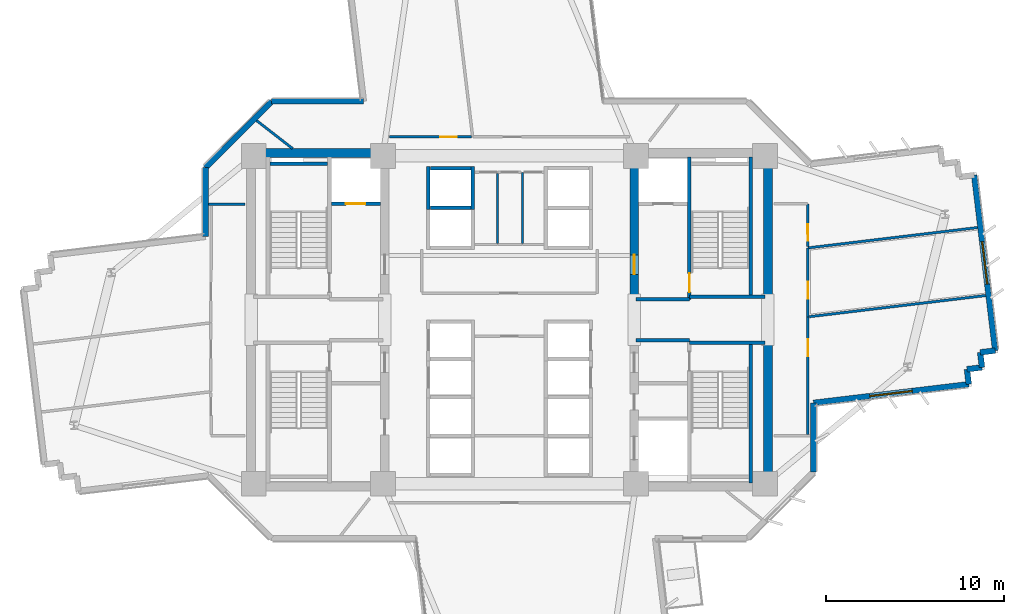
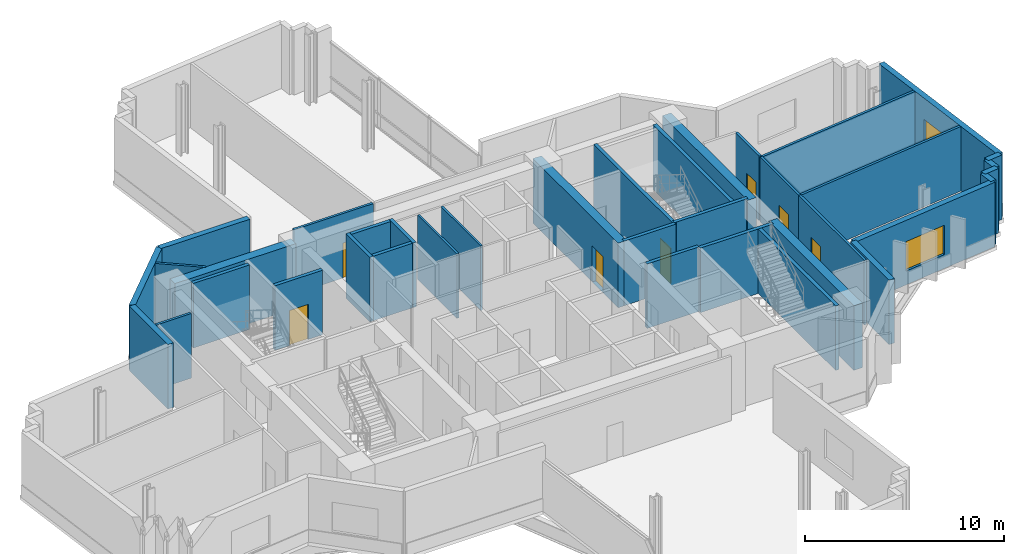
# One storey, part 8 of 15: 37 walls, 7 doors, 2 windows, 9 openings.
"""IFC4 building model written with IfcOpenShell, lengths in metres."""

from ifc_helpers import new_model, si_unit, direction, frame, frame_2d, origin, place, context, subcontext, project, spatial, rectangle, extrude, source, transform, mapped, material, layer, layer_set, type_object, element, fill, save


model = new_model("IFC4")

# Units and contexts
model_context = context("Model", 3, precision=1e-05, world=origin(), true_north=direction((0.0, 1.0)))
body_context = subcontext(model_context, "Body", "Model", "MODEL_VIEW")
ifc_project = project(units=[si_unit("LENGTHUNIT", "METRE"), si_unit("AREAUNIT", "SQUARE_METRE"), si_unit("VOLUMEUNIT", "CUBIC_METRE"), si_unit("PLANEANGLEUNIT", "RADIAN"), si_unit("MASSUNIT", "GRAM", prefix="KILO")], contexts=[model_context])

# Site, building, storey
site_placement = place(None, origin())
site = spatial("IfcSite", under=ifc_project, at=site_placement, CompositionType="ELEMENT")
building_placement = place(site_placement, origin())
building = spatial("IfcBuilding", under=site, at=building_placement, Name="Zahravan Cultural Tower", CompositionType="ELEMENT")
storey_placement = place(building_placement, frame((0.0, 0.0, 108.89990234375)))
storey = spatial("IfcBuildingStorey", under=building, at=storey_placement, Name="L24", CompositionType="ELEMENT", Elevation=108.89990234375)

# Wall, opening, door
ifc_material_1 = material(Name="Concrete C60/75", Category="concrete")
ifc_layer_1 = layer(ifc_material_1, 0.5)
ifc_layer_set_1 = layer_set([ifc_layer_1], Name="Concrete C60/75")
wall_type_1 = type_object("IfcWallType", Name="CW-SHEAR-500-C60", PredefinedType="SHEAR", material=ifc_layer_set_1)
wall_1_placement = place(storey_placement, frame((43.0, 28.050048828125, 0.0), z_axis=(0.0, 0.0, 1.0), x_axis=(0.0, 1.0, 0.0)))
wall_1 = element("IfcWall", 1, at=wall_1_placement, inside=storey, type_object=wall_type_1, Name="L24 Core Shear Wall CW-E-WN-L24", PredefinedType="SHEAR", context=body_context, shape_type="SweptSolid", body=[
    extrude(rectangle(XDim=8.550048828125, YDim=0.5, at=frame_2d((4.27490234375, 0.0))), origin(), (0.0, 0.0, 1.0), 3.9501953125),
])
opening_1_placement = place(wall_1_placement, frame((1.5, 0.0, 0.0)))
opening_1 = element("IfcOpeningElement", 2, at=opening_1_placement, cuts=wall_1, Name="Opening D-L24-06", PredefinedType="OPENING", context=body_context, shape_type="SweptSolid", body=[
    extrude(rectangle(XDim=1.10009765625, YDim=2.199951171875, at=frame_2d((0.550048828125, 1.10009765625))), frame((0.0, 0.260009765625, 0.0), z_axis=(0.0, -1.0, 0.0), x_axis=(1.0, 0.0, 0.0)), (0.0, 0.0, 1.0), 0.52001953125),
])
ifc_material_2 = material(Name="Steel ASTM A572 Grade 50", Category="steel")
door_type_1 = type_object("IfcDoorType", Name="DR-LOBBY-1100", OperationType="NOTDEFINED", PredefinedType="DOOR", material=ifc_material_2)
shared_shape_1 = source(origin(), body_context, "Body", "SweptSolid", [
    extrude(rectangle(XDim=1.10009765625, YDim=2.199951171875, at=frame_2d((0.550048828125, 1.10009765625))), frame((0.0, 0.02490234375, 0.0), z_axis=(0.0, -1.0, 0.0), x_axis=(1.0, 0.0, 0.0)), (0.0, 0.0, 1.0), 0.050048828125),
])
door_1_placement = place(opening_1_placement, origin())
door_1 = element("IfcDoor", 3, at=door_1_placement, inside=storey, type_object=door_type_1, Name="L24 Door D-L24-06", OperationType="SINGLE_SWING_LEFT", OverallHeight=2.199951171875, OverallWidth=1.10009765625, PredefinedType="DOOR", context=body_context, shape_type="MappedRepresentation", body=[
    mapped(shared_shape_1, transform((0.0, 0.0, 0.0), x_axis=(1.0, 0.0, 0.0), y_axis=(0.0, 1.0, 0.0), z_axis=(0.0, 0.0, 1.0), scale=1.0)),
])
fill(opening_1, door_1)

# Wall, opening, window
ifc_material_3 = material(Name="Precast concrete C40/50", Category="concrete")
ifc_layer_2 = layer(ifc_material_3, 0.320068359375)
ifc_layer_set_2 = layer_set([ifc_layer_2], Name="Precast concrete C40/50")
wall_type_2 = type_object("IfcWallType", Name="EW-TC-320", PredefinedType="SOLIDWALL", material=ifc_layer_set_2)
wall_2_placement = place(storey_placement, frame((62.078125, 35.12353515625, 0.0), z_axis=(0.0, 0.0, 1.0), x_axis=(0.119092815244, -0.992883125729, 0.0)))
wall_2 = element("IfcWall", 4, at=wall_2_placement, inside=storey, type_object=wall_type_2, Name="L24 Exterior Masonry Frame Wall 06", PredefinedType="SOLIDWALL", context=body_context, shape_type="SweptSolid", body=[
    extrude(rectangle(XDim=9.919921875, YDim=0.320068359375, at=frame_2d((4.9599609375, 0.0))), origin(), (0.0, 0.0, 1.0), 3.9501953125),
])
opening_2_placement = place(wall_2_placement, frame((3.760009765625, 0.0, 0.85009765625)))
opening_2 = element("IfcOpeningElement", 5, at=opening_2_placement, cuts=wall_2, Name="Opening WN-01", PredefinedType="OPENING", context=body_context, shape_type="SweptSolid", body=[
    extrude(rectangle(XDim=2.39990234375, YDim=1.800048828125, at=frame_2d((1.199951171875, 0.89990234375))), frame((0.0, 0.169921875, 0.0), z_axis=(0.0, -1.0, 0.0), x_axis=(1.0, 0.0, 0.0)), (0.0, 0.0, 1.0), 0.340087890625),
])
ifc_material_4 = material(Name="Low-E solar-control double glazing", Category="glass")
window_type = type_object("IfcWindowType", Name="WN-REC-2400X1800", PartitioningType="DOUBLE_PANEL_VERTICAL", PredefinedType="WINDOW", material=ifc_material_4)
shared_shape_2 = source(origin(), body_context, "Body", "SweptSolid", [
    extrude(rectangle(XDim=2.39990234375, YDim=1.800048828125, at=frame_2d((1.199951171875, 0.89990234375))), frame((0.0, 0.030029296875, 0.0), z_axis=(0.0, -1.0, 0.0), x_axis=(1.0, 0.0, 0.0)), (0.0, 0.0, 1.0), 0.06005859375),
])
window_1_placement = place(opening_2_placement, origin())
window_1 = element("IfcWindow", 6, at=window_1_placement, inside=storey, type_object=window_type, Name="L24 Recessed Solar Window 02", OverallHeight=1.800048828125, OverallWidth=2.39990234375, PartitioningType="DOUBLE_PANEL_VERTICAL", PredefinedType="WINDOW", context=body_context, shape_type="MappedRepresentation", body=[
    mapped(shared_shape_2, transform((0.0, 0.0, 0.0), x_axis=(1.0, 0.0, 0.0), y_axis=(0.0, 1.0, 0.0), z_axis=(0.0, 0.0, 1.0), scale=1.0)),
])
fill(opening_2, window_1)

wall_3_placement = place(storey_placement, frame((61.774169921875, 23.3837890625, 0.0), z_axis=(0.0, 0.0, 1.0), x_axis=(-0.992883944618, -0.119085987922, 0.0)))
wall_3 = element("IfcWall", 7, at=wall_3_placement, inside=storey, type_object=wall_type_2, Name="L24 Exterior Masonry Frame Wall 11", PredefinedType="SOLIDWALL", context=body_context, shape_type="SweptSolid", body=[
    extrude(rectangle(XDim=8.776611328125, YDim=0.320068359375, at=frame_2d((4.38818359375, 0.0))), origin(), (0.0, 0.0, 1.0), 3.9501953125),
])
opening_3_placement = place(wall_3_placement, frame((3.18798828125, 0.0, 0.85009765625)))
opening_3 = element("IfcOpeningElement", 8, at=opening_3_placement, cuts=wall_3, Name="Opening WN-01", PredefinedType="OPENING", context=body_context, shape_type="SweptSolid", body=[
    extrude(rectangle(XDim=2.39990234375, YDim=1.800048828125, at=frame_2d((1.199951171875, 0.89990234375))), frame((0.0, 0.169921875, 0.0), z_axis=(0.0, -1.0, 0.0), x_axis=(1.0, 0.0, 0.0)), (0.0, 0.0, 1.0), 0.340087890625),
])
window_2_placement = place(opening_3_placement, origin())
window_2 = element("IfcWindow", 9, at=window_2_placement, inside=storey, type_object=window_type, Name="L24 Recessed Solar Window 03", OverallHeight=1.800048828125, OverallWidth=2.39990234375, PartitioningType="DOUBLE_PANEL_VERTICAL", PredefinedType="WINDOW", context=body_context, shape_type="MappedRepresentation", body=[
    mapped(shared_shape_2, transform((0.0, 0.0, 0.0), x_axis=(1.0, 0.0, 0.0), y_axis=(0.0, 1.0, 0.0), z_axis=(0.0, 0.0, 1.0), scale=1.0)),
])
fill(opening_3, window_2)

# Wall, opening, door
ifc_material_5 = material(Name="Gypsum plasterboard partition")
ifc_layer_3 = layer(ifc_material_5, 0.139892578125)
ifc_layer_set_3 = layer_set([ifc_layer_3], Name="Gypsum plasterboard partition")
wall_type_3 = type_object("IfcWallType", Name="W-PART-140", PredefinedType="PARTITIONING", material=ifc_layer_set_3)
wall_4_placement = place(storey_placement, frame((52.75, 27.166015625, 0.0), z_axis=(0.0, 0.0, 1.0), x_axis=(0.0, 1.0, 0.0)))
wall_4 = element("IfcWall", 10, at=wall_4_placement, inside=storey, type_object=wall_type_3, Name="L24 Interior Wall 079", PredefinedType="PARTITIONING", context=body_context, shape_type="SweptSolid", body=[
    extrude(rectangle(XDim=3.86767578125, YDim=0.139892578125, at=frame_2d((1.933837890625, 0.0))), origin(), (0.0, 0.0, 1.0), 3.9501953125),
])
opening_4_placement = place(wall_4_placement, frame((1.02099609375, 0.0, 0.0)))
opening_4 = element("IfcOpeningElement", 11, at=opening_4_placement, cuts=wall_4, Name="Opening D-L24-17", PredefinedType="OPENING", context=body_context, shape_type="SweptSolid", body=[
    extrude(rectangle(XDim=0.949951171875, YDim=2.14990234375, at=frame_2d((0.47509765625, 1.074951171875))), frame((0.0, 0.079833984375, 0.0), z_axis=(0.0, -1.0, 0.0), x_axis=(1.0, 0.0, 0.0)), (0.0, 0.0, 1.0), 0.159912109375),
])
ifc_material_6 = material(Name="Anodised bronze-aluminium mullion", Category="aluminium")
door_type_2 = type_object("IfcDoorType", Name="DR-ROOM-950", OperationType="NOTDEFINED", PredefinedType="DOOR", material=ifc_material_6)
shared_shape_3 = source(origin(), body_context, "Body", "SweptSolid", [
    extrude(rectangle(XDim=0.949951171875, YDim=2.14990234375, at=frame_2d((0.47509765625, 1.074951171875))), frame((0.0, 0.02490234375, 0.0), z_axis=(0.0, -1.0, 0.0), x_axis=(1.0, 0.0, 0.0)), (0.0, 0.0, 1.0), 0.050048828125),
])
door_2_placement = place(opening_4_placement, origin())
door_2 = element("IfcDoor", 12, at=door_2_placement, inside=storey, type_object=door_type_2, Name="L24 Door D-L24-17", OperationType="SINGLE_SWING_RIGHT", OverallHeight=2.14990234375, OverallWidth=0.949951171875, PredefinedType="DOOR", context=body_context, shape_type="MappedRepresentation", body=[
    mapped(shared_shape_3, transform((0.0, 0.0, 0.0), x_axis=(1.0, 0.0, 0.0), y_axis=(0.0, 1.0, 0.0), z_axis=(0.0, 0.0, 1.0), scale=1.0)),
])
fill(opening_4, door_2)

wall_5_placement = place(storey_placement, frame((52.75, 20.5751953125, 0.0), z_axis=(0.0, 0.0, 1.0), x_axis=(0.0, 1.0, 0.0)))
wall_5 = element("IfcWall", 13, at=wall_5_placement, inside=storey, type_object=wall_type_3, Name="L24 Interior Wall 089", PredefinedType="PARTITIONING", context=body_context, shape_type="SweptSolid", body=[
    extrude(rectangle(XDim=6.57080078125, YDim=0.139892578125, at=frame_2d((3.285400390625, 0.0))), origin(), (0.0, 0.0, 1.0), 3.9501953125),
])
opening_5_placement = place(wall_5_placement, frame((4.384033203125, 0.0, 0.0)))
opening_5 = element("IfcOpeningElement", 14, at=opening_5_placement, cuts=wall_5, Name="Opening D-L24-16", PredefinedType="OPENING", context=body_context, shape_type="SweptSolid", body=[
    extrude(rectangle(XDim=0.949951171875, YDim=2.14990234375, at=frame_2d((0.47509765625, 1.074951171875))), frame((0.0, 0.079833984375, 0.0), z_axis=(0.0, -1.0, 0.0), x_axis=(1.0, 0.0, 0.0)), (0.0, 0.0, 1.0), 0.159912109375),
])
door_3_placement = place(opening_5_placement, origin())
door_3 = element("IfcDoor", 15, at=door_3_placement, inside=storey, type_object=door_type_2, Name="L24 Door D-L24-16", OperationType="SINGLE_SWING_LEFT", OverallHeight=2.14990234375, OverallWidth=0.949951171875, PredefinedType="DOOR", context=body_context, shape_type="MappedRepresentation", body=[
    mapped(shared_shape_3, transform((0.0, 0.0, 0.0), x_axis=(1.0, 0.0, 0.0), y_axis=(0.0, 1.0, 0.0), z_axis=(0.0, 0.0, 1.0), scale=1.0)),
])
fill(opening_5, door_3)

wall_6_placement = place(storey_placement, frame((52.75, 31.109130859375, 0.0), z_axis=(0.0, 0.0, 1.0), x_axis=(-0.001430175266, 0.999998977299, 0.0)))
wall_6 = element("IfcWall", 16, at=wall_6_placement, inside=storey, type_object=wall_type_3, Name="L24 Interior Wall 092", PredefinedType="PARTITIONING", context=body_context, shape_type="SweptSolid", body=[
    extrude(rectangle(XDim=2.389892578125, YDim=0.139892578125, at=frame_2d((1.19482421875, 0.0))), origin(), (0.0, 0.0, 1.0), 3.9501953125),
])
opening_6_placement = place(wall_6_placement, frame((0.31689453125, 0.0, 0.0)))
opening_6 = element("IfcOpeningElement", 17, at=opening_6_placement, cuts=wall_6, Name="Opening D-L24-18", PredefinedType="OPENING", context=body_context, shape_type="SweptSolid", body=[
    extrude(rectangle(XDim=0.949951171875, YDim=2.14990234375, at=frame_2d((0.47509765625, 1.074951171875))), frame((0.0, 0.079833984375, 0.0), z_axis=(0.0, -1.0, 0.0), x_axis=(1.0, 0.0, 0.0)), (0.0, 0.0, 1.0), 0.159912109375),
])
door_4_placement = place(opening_6_placement, origin())
door_4 = element("IfcDoor", 18, at=door_4_placement, inside=storey, type_object=door_type_2, Name="L24 Door D-L24-18", OperationType="SINGLE_SWING_LEFT", OverallHeight=2.14990234375, OverallWidth=0.949951171875, PredefinedType="DOOR", context=body_context, shape_type="MappedRepresentation", body=[
    mapped(shared_shape_3, transform((0.0, 0.0, 0.0), x_axis=(1.0, 0.0, 0.0), y_axis=(0.0, 1.0, 0.0), z_axis=(0.0, 0.0, 1.0), scale=1.0)),
])
fill(opening_6, door_4)

wall_7_placement = place(storey_placement, frame((33.85791015625, 37.260009765625, 0.0), z_axis=(0.0, 0.0, 1.0), x_axis=(-0.999999998592, -5.3070106e-05, 0.0)))
wall_7 = element("IfcWall", 19, at=wall_7_placement, inside=storey, type_object=wall_type_3, Name="L24 Interior Wall 098", PredefinedType="PARTITIONING", context=body_context, shape_type="SweptSolid", body=[
    extrude(rectangle(XDim=4.600341796875, YDim=0.139892578125, at=frame_2d((2.30029296875, 0.0))), origin(), (0.0, 0.0, 1.0), 3.9501953125),
])
opening_7_placement = place(wall_7_placement, frame((0.802978515625, 0.0, 0.0)))
opening_7 = element("IfcOpeningElement", 20, at=opening_7_placement, cuts=wall_7, Name="Opening D-L24-20", PredefinedType="OPENING", context=body_context, shape_type="SweptSolid", body=[
    extrude(rectangle(XDim=0.949951171875, YDim=2.14990234375, at=frame_2d((0.47509765625, 1.074951171875))), frame((0.0, 0.079833984375, 0.0), z_axis=(0.0, -1.0, 0.0), x_axis=(1.0, 0.0, 0.0)), (0.0, 0.0, 1.0), 0.159912109375),
])
door_5_placement = place(opening_7_placement, origin())
door_5 = element("IfcDoor", 21, at=door_5_placement, inside=storey, type_object=door_type_2, Name="L24 Door D-L24-20", OperationType="SINGLE_SWING_LEFT", OverallHeight=2.14990234375, OverallWidth=0.949951171875, PredefinedType="DOOR", context=body_context, shape_type="MappedRepresentation", body=[
    mapped(shared_shape_3, transform((0.0, 0.0, 0.0), x_axis=(1.0, 0.0, 0.0), y_axis=(0.0, 1.0, 0.0), z_axis=(0.0, 0.0, 1.0), scale=1.0)),
])
fill(opening_7, door_5)

ifc_material_7 = material(Name="Concrete C45/55", Category="concrete")
ifc_layer_4 = layer(ifc_material_7, 0.199951171875)
ifc_layer_set_4 = layer_set([ifc_layer_4], Name="Concrete C45/55")
wall_type_4 = type_object("IfcWallType", Name="W-SHAFT-200", PredefinedType="SOLIDWALL", material=ifc_layer_set_4)
wall_8_placement = place(storey_placement, frame((46.10009765625, 28.14990234375, 0.0), z_axis=(0.0, 0.0, 1.0), x_axis=(0.0, 1.0, 0.0)))
wall_8 = element("IfcWall", 22, at=wall_8_placement, inside=storey, type_object=wall_type_4, Name="L24 Interior Wall 008", PredefinedType="SOLIDWALL", context=body_context, shape_type="SweptSolid", body=[
    extrude(rectangle(XDim=8.0, YDim=0.199951171875, at=frame_2d((4.0, 0.0))), origin(), (0.0, 0.0, 1.0), 3.9501953125),
])
opening_8_placement = place(wall_8_placement, frame((0.39990234375, 0.0, 0.0)))
opening_8 = element("IfcOpeningElement", 23, at=opening_8_placement, cuts=wall_8, Name="Opening D-L24-02", PredefinedType="OPENING", context=body_context, shape_type="SweptSolid", body=[
    extrude(rectangle(XDim=1.050048828125, YDim=2.14990234375, at=frame_2d((0.52490234375, 1.074951171875))), frame((0.0, 0.10986328125, 0.0), z_axis=(0.0, -1.0, 0.0), x_axis=(1.0, 0.0, 0.0)), (0.0, 0.0, 1.0), 0.219970703125),
])
door_type_3 = type_object("IfcDoorType", Name="DR-STAIR-1050", OperationType="NOTDEFINED", PredefinedType="DOOR", material=ifc_material_2)
shared_shape_4 = source(origin(), body_context, "Body", "SweptSolid", [
    extrude(rectangle(XDim=1.050048828125, YDim=2.14990234375, at=frame_2d((0.52490234375, 1.074951171875))), frame((0.0, 0.02490234375, 0.0), z_axis=(0.0, -1.0, 0.0), x_axis=(1.0, 0.0, 0.0)), (0.0, 0.0, 1.0), 0.050048828125),
])
door_6_placement = place(opening_8_placement, origin())
door_6 = element("IfcDoor", 24, at=door_6_placement, inside=storey, type_object=door_type_3, Name="L24 Door D-L24-02", OperationType="SINGLE_SWING_LEFT", OverallHeight=2.14990234375, OverallWidth=1.050048828125, PredefinedType="DOOR", context=body_context, shape_type="MappedRepresentation", body=[
    mapped(shared_shape_4, transform((0.0, 0.0, 0.0), x_axis=(1.0, 0.0, 0.0), y_axis=(0.0, 1.0, 0.0), z_axis=(0.0, 0.0, 1.0), scale=1.0)),
])
fill(opening_8, door_6)

wall_9_placement = place(storey_placement, frame((26.0, 33.52001953125, 0.0), z_axis=(0.0, 0.0, 1.0), x_axis=(1.0, 0.0, 0.0)))
wall_9 = element("IfcWall", 25, at=wall_9_placement, inside=storey, type_object=wall_type_4, Name="L24 Interior Wall 021", PredefinedType="SOLIDWALL", context=body_context, shape_type="SweptSolid", body=[
    extrude(rectangle(XDim=2.75, YDim=0.199951171875, at=frame_2d((1.375, 0.0))), origin(), (0.0, 0.0, 1.0), 3.9501953125),
])
opening_9_placement = place(wall_9_placement, frame((0.820068359375, 0.0, 0.0)))
opening_9 = element("IfcOpeningElement", 26, at=opening_9_placement, cuts=wall_9, Name="Opening LD-L24-01", PredefinedType="OPENING", context=body_context, shape_type="SweptSolid", body=[
    extrude(rectangle(XDim=1.10009765625, YDim=2.14990234375, at=frame_2d((0.550048828125, 1.074951171875))), frame((0.0, 0.10986328125, 0.0), z_axis=(0.0, -1.0, 0.0), x_axis=(1.0, 0.0, 0.0)), (0.0, 0.0, 1.0), 0.219970703125),
])
door_type_4 = type_object("IfcDoorType", Name="DR-LIFT-1100", OperationType="DOUBLE_DOOR_SLIDING", PredefinedType="DOOR", material=ifc_material_2)
shared_shape_5 = source(origin(), body_context, "Body", "SweptSolid", [
    extrude(rectangle(XDim=1.10009765625, YDim=2.14990234375, at=frame_2d((0.550048828125, 1.074951171875))), frame((0.0, 0.02490234375, 0.0), z_axis=(0.0, -1.0, 0.0), x_axis=(1.0, 0.0, 0.0)), (0.0, 0.0, 1.0), 0.050048828125),
])
door_7_placement = place(opening_9_placement, origin())
door_7 = element("IfcDoor", 27, at=door_7_placement, inside=storey, type_object=door_type_4, Name="L24 Door LD-L24-01", OperationType="DOUBLE_DOOR_SLIDING", OverallHeight=2.14990234375, OverallWidth=1.10009765625, PredefinedType="DOOR", context=body_context, shape_type="MappedRepresentation", body=[
    mapped(shared_shape_5, transform((0.0, 0.0, 0.0), x_axis=(1.0, 0.0, 0.0), y_axis=(0.0, 1.0, 0.0), z_axis=(0.0, 0.0, 1.0), scale=1.0)),
])
fill(opening_9, door_7)

# Walls
shared_shape_6 = source(origin(), body_context, "Body", "SweptSolid", [
    extrude(rectangle(XDim=8.550048828125, YDim=0.5, at=frame_2d((4.27490234375, 0.0))), origin(), (0.0, 0.0, 1.0), 3.9501953125),
])
for number, where, z_axis, x_axis, name in (
    (28, (50.5, 17.39990234375, 0.0), (0.0, 0.0, 1.0), (0.0, 1.0, 0.0), "L24 Core Shear Wall CW-E-ES-L24"),
    (29, (50.5, 28.050048828125, 0.0), (0.0, 0.0, 1.0), (0.0, 1.0, 0.0), "L24 Core Shear Wall CW-E-EN-L24"),
):
    element("IfcWall", number, at=place(storey_placement, frame(where, z_axis=z_axis, x_axis=x_axis)), inside=storey, type_object=wall_type_1, Name=name, PredefinedType="SHEAR", context=body_context, shape_type="MappedRepresentation", body=[
        mapped(shared_shape_6, transform((0.0, 0.0, 0.0), x_axis=(1.0, 0.0, 0.0), y_axis=(0.0, 1.0, 0.0), z_axis=(0.0, 0.0, 1.0), scale=1.0)),
    ])
shared_shape_7 = source(origin(), body_context, "Body", "SweptSolid", [
    extrude(rectangle(XDim=7.0, YDim=0.5, at=frame_2d((3.5, 0.0))), origin(), (0.0, 0.0, 1.0), 3.9501953125),
])
wall_10_placement = place(storey_placement, frame((21.75, 36.35009765625, 0.0), z_axis=(0.0, 0.0, 1.0), x_axis=(1.0, 0.0, 0.0)))
element("IfcWall", 30, at=wall_10_placement, inside=storey, type_object=wall_type_1, Name="L24 Core Shear Wall CW-W-N-L24", PredefinedType="SHEAR", context=body_context, shape_type="MappedRepresentation", body=[
    mapped(shared_shape_7, transform((0.0, 0.0, 0.0), x_axis=(1.0, 0.0, 0.0), y_axis=(0.0, 1.0, 0.0), z_axis=(0.0, 0.0, 1.0), scale=1.0)),
])
shared_shape_8 = source(origin(), body_context, "Body", "SweptSolid", [
    extrude(rectangle(XDim=0.85009765625, YDim=0.320068359375, at=frame_2d((0.425048828125, 0.0))), origin(), (0.0, 0.0, 1.0), 3.9501953125),
])
for number, where, z_axis, x_axis, name in (
    (31, (63.259521484375, 25.274169921875, 0.0), (0.0, 0.0, 1.0), (-0.992905350382, -0.118907380694, 0.0), "L24 Exterior Masonry Frame Wall 07"),
    (32, (62.41552734375, 25.173095703125, 0.0), (0.0, 0.0, 1.0), (0.119190521137, -0.992871401376, 0.0), "L24 Exterior Masonry Frame Wall 08"),
    (33, (62.516845703125, 24.3291015625, 0.0), (0.0, 0.0, 1.0), (-0.992871401376, -0.119190521137, 0.0), "L24 Exterior Masonry Frame Wall 09"),
    (34, (61.6728515625, 24.227783203125, 0.0), (0.0, 0.0, 1.0), (0.119190521137, -0.992871401376, 0.0), "L24 Exterior Masonry Frame Wall 10"),
):
    element("IfcWall", number, at=place(storey_placement, frame(where, z_axis=z_axis, x_axis=x_axis)), inside=storey, type_object=wall_type_2, Name=name, PredefinedType="SOLIDWALL", context=body_context, shape_type="MappedRepresentation", body=[
        mapped(shared_shape_8, transform((0.0, 0.0, 0.0), x_axis=(1.0, 0.0, 0.0), y_axis=(0.0, 1.0, 0.0), z_axis=(0.0, 0.0, 1.0), scale=1.0)),
    ])
shared_shape_9 = source(origin(), body_context, "Body", "SweptSolid", [
    extrude(rectangle(XDim=5.258056640625, YDim=0.320068359375, at=frame_2d((2.62890625, 0.0))), origin(), (0.0, 0.0, 1.0), 3.9501953125),
])
wall_11_placement = place(storey_placement, frame((18.93994140625, 35.5419921875, 0.0), z_axis=(0.0, 0.0, 1.0), x_axis=(0.707106781187, 0.707106781187, 0.0)))
element("IfcWall", 35, at=wall_11_placement, inside=storey, type_object=wall_type_2, Name="L24 Exterior Masonry Frame Wall 39", PredefinedType="SOLIDWALL", context=body_context, shape_type="MappedRepresentation", body=[
    mapped(shared_shape_9, transform((0.0, 0.0, 0.0), x_axis=(1.0, 0.0, 0.0), y_axis=(0.0, 1.0, 0.0), z_axis=(0.0, 0.0, 1.0), scale=1.0)),
])
shared_shape_10 = source(origin(), body_context, "Body", "SweptSolid", [
    extrude(rectangle(XDim=3.880615234375, YDim=0.320068359375, at=frame_2d((1.9404296875, 0.0))), origin(), (0.0, 0.0, 1.0), 3.9501953125),
])
for number, where, z_axis, x_axis, name in (
    (36, (53.06005859375, 22.338623046875, 0.0), (0.0, 0.0, 1.0), (0.0, -1.0, 0.0), "L24 Exterior Masonry Frame Wall 12"),
    (37, (18.93994140625, 31.661376953125, 0.0), (0.0, 0.0, 1.0), (0.0, 1.0, 0.0), "L24 Exterior Masonry Frame Wall 38"),
):
    element("IfcWall", number, at=place(storey_placement, frame(where, z_axis=z_axis, x_axis=x_axis)), inside=storey, type_object=wall_type_2, Name=name, PredefinedType="SOLIDWALL", context=body_context, shape_type="MappedRepresentation", body=[
        mapped(shared_shape_10, transform((0.0, 0.0, 0.0), x_axis=(1.0, 0.0, 0.0), y_axis=(0.0, 1.0, 0.0), z_axis=(0.0, 0.0, 1.0), scale=1.0)),
    ])
shared_shape_11 = source(origin(), body_context, "Body", "SweptSolid", [
    extrude(rectangle(XDim=5.16357421875, YDim=0.320068359375, at=frame_2d((2.581787109375, 0.0))), origin(), (0.0, 0.0, 1.0), 3.9501953125),
])
wall_12_placement = place(storey_placement, frame((22.657958984375, 39.260009765625, 0.0), z_axis=(0.0, 0.0, 1.0), x_axis=(1.0, 0.0, 0.0)))
element("IfcWall", 38, at=wall_12_placement, inside=storey, type_object=wall_type_2, Name="L24 Exterior Masonry Frame Wall 40", PredefinedType="SOLIDWALL", context=body_context, shape_type="MappedRepresentation", body=[
    mapped(shared_shape_11, transform((0.0, 0.0, 0.0), x_axis=(1.0, 0.0, 0.0), y_axis=(0.0, 1.0, 0.0), z_axis=(0.0, 0.0, 1.0), scale=1.0)),
])
shared_shape_12 = source(origin(), body_context, "Body", "SweptSolid", [
    extrude(rectangle(XDim=7.869873046875, YDim=0.199951171875, at=frame_2d((3.93505859375, 0.0))), origin(), (0.0, 0.0, 1.0), 3.9501953125),
])
for number, where, z_axis, x_axis, name in (
    (39, (49.550048828125, 17.85009765625, 0.0), (0.0, 0.0, 1.0), (0.0, 1.0, 0.0), "L24 Interior Wall 003"),
    (40, (49.550048828125, 28.280029296875, 0.0), (0.0, 0.0, 1.0), (0.0, 1.0, 0.0), "L24 Interior Wall 004"),
):
    element("IfcWall", number, at=place(storey_placement, frame(where, z_axis=z_axis, x_axis=x_axis)), inside=storey, type_object=wall_type_4, Name=name, PredefinedType="SOLIDWALL", context=body_context, shape_type="MappedRepresentation", body=[
        mapped(shared_shape_12, transform((0.0, 0.0, 0.0), x_axis=(1.0, 0.0, 0.0), y_axis=(0.0, 1.0, 0.0), z_axis=(0.0, 0.0, 1.0), scale=1.0)),
    ])
shared_shape_13 = source(origin(), body_context, "Body", "SweptSolid", [
    extrude(rectangle(XDim=4.25, YDim=0.199951171875, at=frame_2d((2.125, 0.0))), origin(), (0.0, 0.0, 1.0), 3.9501953125),
])
for number, where, z_axis, x_axis, name in (
    (41, (46.10009765625, 25.715087890625, 0.0), (0.0, 0.0, 1.0), (1.0, 0.0, 0.0), "L24 Interior Wall 014"),
    (42, (46.10009765625, 28.284912109375, 0.0), (0.0, 0.0, 1.0), (1.0, 0.0, 0.0), "L24 Interior Wall 016"),
):
    element("IfcWall", number, at=place(storey_placement, frame(where, z_axis=z_axis, x_axis=x_axis)), inside=storey, type_object=wall_type_4, Name=name, PredefinedType="SOLIDWALL", context=body_context, shape_type="MappedRepresentation", body=[
        mapped(shared_shape_13, transform((0.0, 0.0, 0.0), x_axis=(1.0, 0.0, 0.0), y_axis=(0.0, 1.0, 0.0), z_axis=(0.0, 0.0, 1.0), scale=1.0)),
    ])
shared_shape_14 = source(origin(), body_context, "Body", "SweptSolid", [
    extrude(rectangle(XDim=3.0, YDim=0.199951171875, at=frame_2d((1.5, 0.0))), origin(), (0.0, 0.0, 1.0), 3.9501953125),
])
for number, where, z_axis, x_axis, name in (
    (43, (43.10009765625, 25.85009765625, 0.0), (0.0, 0.0, 1.0), (1.0, 0.0, 0.0), "L24 Interior Wall 013"),
    (44, (43.10009765625, 28.14990234375, 0.0), (0.0, 0.0, 1.0), (1.0, 0.0, 0.0), "L24 Interior Wall 015"),
):
    element("IfcWall", number, at=place(storey_placement, frame(where, z_axis=z_axis, x_axis=x_axis)), inside=storey, type_object=wall_type_4, Name=name, PredefinedType="SOLIDWALL", context=body_context, shape_type="MappedRepresentation", body=[
        mapped(shared_shape_14, transform((0.0, 0.0, 0.0), x_axis=(1.0, 0.0, 0.0), y_axis=(0.0, 1.0, 0.0), z_axis=(0.0, 0.0, 1.0), scale=1.0)),
    ])
shared_shape_15 = source(origin(), body_context, "Body", "SweptSolid", [
    extrude(rectangle(XDim=3.25, YDim=0.199951171875, at=frame_2d((1.625, 0.0))), origin(), (0.0, 0.0, 1.0), 3.9501953125),
])
wall_13_placement = place(storey_placement, frame((22.550048828125, 35.75, 0.0), z_axis=(0.0, 0.0, 1.0), x_axis=(1.0, 0.0, 0.0)))
element("IfcWall", 45, at=wall_13_placement, inside=storey, type_object=wall_type_4, Name="L24 Interior Wall 017", PredefinedType="SOLIDWALL", context=body_context, shape_type="MappedRepresentation", body=[
    mapped(shared_shape_15, transform((0.0, 0.0, 0.0), x_axis=(1.0, 0.0, 0.0), y_axis=(0.0, 1.0, 0.0), z_axis=(0.0, 0.0, 1.0), scale=1.0)),
])
shared_shape_16 = source(origin(), body_context, "Body", "SweptSolid", [
    extrude(rectangle(XDim=2.400146484375, YDim=0.199951171875, at=frame_2d((1.2001953125, 0.0))), origin(), (0.0, 0.0, 1.0), 3.9501953125),
])
for number, where, z_axis, x_axis, name in (
    (46, (31.449951171875, 33.199951171875, 0.0), (0.0, 0.0, 1.0), (0.0, 1.0, 0.0), "L24 Interior Wall 026"),
    (47, (33.949951171875, 33.199951171875, 0.0), (0.0, 0.0, 1.0), (0.0, 1.0, 0.0), "L24 Interior Wall 027"),
):
    element("IfcWall", number, at=place(storey_placement, frame(where, z_axis=z_axis, x_axis=x_axis)), inside=storey, type_object=wall_type_4, Name=name, PredefinedType="SOLIDWALL", context=body_context, shape_type="MappedRepresentation", body=[
        mapped(shared_shape_16, transform((0.0, 0.0, 0.0), x_axis=(1.0, 0.0, 0.0), y_axis=(0.0, 1.0, 0.0), z_axis=(0.0, 0.0, 1.0), scale=1.0)),
    ])
shared_shape_17 = source(origin(), body_context, "Body", "SweptSolid", [
    extrude(rectangle(XDim=2.260009765625, YDim=0.199951171875, at=frame_2d((1.1298828125, 0.0))), origin(), (0.0, 0.0, 1.0), 3.9501953125),
])
for number, where, z_axis, x_axis, name in (
    (48, (31.570068359375, 33.300048828125, 0.0), (0.0, 0.0, 1.0), (1.0, 0.0, 0.0), "L24 Interior Wall 028"),
    (49, (31.570068359375, 35.5, 0.0), (0.0, 0.0, 1.0), (1.0, 0.0, 0.0), "L24 Interior Wall 029"),
):
    element("IfcWall", number, at=place(storey_placement, frame(where, z_axis=z_axis, x_axis=x_axis)), inside=storey, type_object=wall_type_4, Name=name, PredefinedType="SOLIDWALL", context=body_context, shape_type="MappedRepresentation", body=[
        mapped(shared_shape_17, transform((0.0, 0.0, 0.0), x_axis=(1.0, 0.0, 0.0), y_axis=(0.0, 1.0, 0.0), z_axis=(0.0, 0.0, 1.0), scale=1.0)),
    ])
ifc_layer_5 = layer(ifc_material_5, 0.114990234375)
ifc_layer_set_5 = layer_set([ifc_layer_5], Name="Gypsum plasterboard partition")
wall_type_5 = type_object("IfcWallType", Name="W-WC-115", PredefinedType="PARTITIONING", material=ifc_layer_set_5)
shared_shape_18 = source(origin(), body_context, "Body", "SweptSolid", [
    extrude(rectangle(XDim=3.99755859375, YDim=0.114990234375, at=frame_2d((1.998779296875, 0.0))), origin(), (0.0, 0.0, 1.0), 3.9501953125),
])
wall_14_placement = place(storey_placement, frame((36.719970703125, 31.282470703125, 0.0), z_axis=(0.0, 0.0, 1.0), x_axis=(0.0, 1.0, 0.0)))
element("IfcWall", 50, at=wall_14_placement, inside=storey, type_object=wall_type_5, Name="L24 Interior Wall 067", PredefinedType="PARTITIONING", context=body_context, shape_type="MappedRepresentation", body=[
    mapped(shared_shape_18, transform((0.0, 0.0, 0.0), x_axis=(1.0, 0.0, 0.0), y_axis=(0.0, 1.0, 0.0), z_axis=(0.0, 0.0, 1.0), scale=1.0)),
])
shared_shape_19 = source(origin(), body_context, "Body", "SweptSolid", [
    extrude(rectangle(XDim=3.93505859375, YDim=0.114990234375, at=frame_2d((1.967529296875, 0.0))), origin(), (0.0, 0.0, 1.0), 3.9501953125),
])
wall_15_placement = place(storey_placement, frame((35.340087890625, 35.217529296875, 0.0), z_axis=(0.0, 0.0, 1.0), x_axis=(0.0, -1.0, 0.0)))
element("IfcWall", 51, at=wall_15_placement, inside=storey, type_object=wall_type_5, Name="L24 Interior Wall 071", PredefinedType="PARTITIONING", context=body_context, shape_type="MappedRepresentation", body=[
    mapped(shared_shape_19, transform((0.0, 0.0, 0.0), x_axis=(1.0, 0.0, 0.0), y_axis=(0.0, 1.0, 0.0), z_axis=(0.0, 0.0, 1.0), scale=1.0)),
])
shared_shape_20 = source(origin(), body_context, "Body", "SweptSolid", [
    extrude(rectangle(XDim=2.04931640625, YDim=0.139892578125, at=frame_2d((1.024658203125, 0.0))), origin(), (0.0, 0.0, 1.0), 3.9501953125),
])
wall_16_placement = place(storey_placement, frame((21.1494140625, 33.49658203125, 0.0), z_axis=(0.0, 0.0, 1.0), x_axis=(-0.999999822593, 0.000595663464, 0.0)))
element("IfcWall", 52, at=wall_16_placement, inside=storey, type_object=wall_type_3, Name="L24 Interior Wall 085", PredefinedType="PARTITIONING", context=body_context, shape_type="MappedRepresentation", body=[
    mapped(shared_shape_20, transform((0.0, 0.0, 0.0), x_axis=(1.0, 0.0, 0.0), y_axis=(0.0, 1.0, 0.0), z_axis=(0.0, 0.0, 1.0), scale=1.0)),
])
shared_shape_21 = source(origin(), body_context, "Body", "SweptSolid", [
    extrude(rectangle(XDim=9.583740234375, YDim=0.139892578125, at=frame_2d((4.7919921875, 0.0))), origin(), (0.0, 0.0, 1.0), 3.9501953125),
])
wall_17_placement = place(storey_placement, frame((52.75, 31.03369140625, 0.0), z_axis=(0.0, 0.0, 1.0), x_axis=(0.992883225705, 0.119091981737, 0.0)))
element("IfcWall", 53, at=wall_17_placement, inside=storey, type_object=wall_type_3, Name="L24 Interior Wall 080", PredefinedType="PARTITIONING", context=body_context, shape_type="MappedRepresentation", body=[
    mapped(shared_shape_21, transform((0.0, 0.0, 0.0), x_axis=(1.0, 0.0, 0.0), y_axis=(0.0, 1.0, 0.0), z_axis=(0.0, 0.0, 1.0), scale=1.0)),
])
shared_shape_22 = source(origin(), body_context, "Body", "SweptSolid", [
    extrude(rectangle(XDim=9.968994140625, YDim=0.139892578125, at=frame_2d((4.984375, 0.0))), origin(), (0.0, 0.0, 1.0), 3.9501953125),
])
wall_18_placement = place(storey_placement, frame((62.722900390625, 28.3623046875, 0.0), z_axis=(0.0, 0.0, 1.0), x_axis=(-0.992882747367, -0.119095969623, 0.0)))
element("IfcWall", 54, at=wall_18_placement, inside=storey, type_object=wall_type_3, Name="L24 Interior Wall 081", PredefinedType="PARTITIONING", context=body_context, shape_type="MappedRepresentation", body=[
    mapped(shared_shape_22, transform((0.0, 0.0, 0.0), x_axis=(1.0, 0.0, 0.0), y_axis=(0.0, 1.0, 0.0), z_axis=(0.0, 0.0, 1.0), scale=1.0)),
])
shared_shape_23 = source(origin(), body_context, "Body", "SweptSolid", [
    extrude(rectangle(XDim=2.563232421875, YDim=0.139892578125, at=frame_2d((1.28173828125, 0.0))), origin(), (0.0, 0.0, 1.0), 3.9501953125),
])
wall_19_placement = place(storey_placement, frame((21.81103515625, 38.1796875, 0.0), z_axis=(0.0, 0.0, 1.0), x_axis=(0.789034129839, -0.614349364734, 0.0)))
element("IfcWall", 55, at=wall_19_placement, inside=storey, type_object=wall_type_3, Name="L24 Interior Wall 087", PredefinedType="PARTITIONING", context=body_context, shape_type="MappedRepresentation", body=[
    mapped(shared_shape_23, transform((0.0, 0.0, 0.0), x_axis=(1.0, 0.0, 0.0), y_axis=(0.0, 1.0, 0.0), z_axis=(0.0, 0.0, 1.0), scale=1.0)),
])

save(model, "model.ifc")
